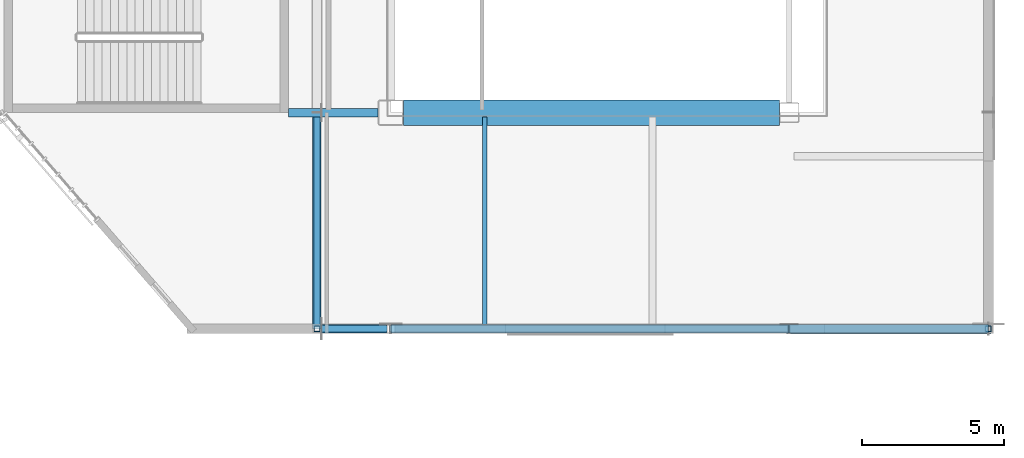
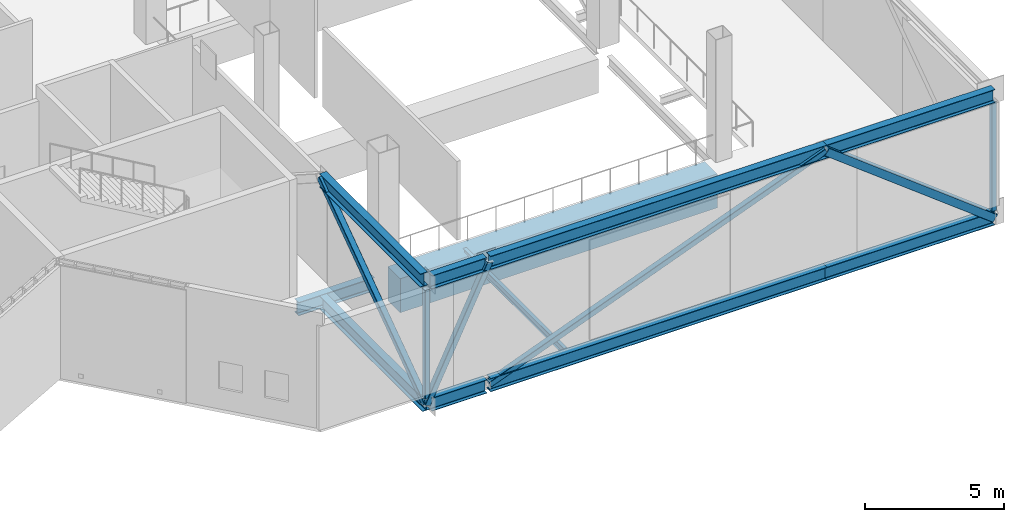
# One storey, part 25 of 127: 11 beams, 6 members.
"""IFC4 building model written with IfcOpenShell, lengths in metres."""

from ifc_helpers import new_model, si_unit, direction, frame, origin, origin_2d, place, context, subcontext, project, spatial, rectangle, hollow_rectangle, i_section, extrude, material, material_profile, profile_set, type_object, element, save


model = new_model("IFC4")

# Units and contexts
model_context = context("Model", 3, precision=1e-05, world=origin(), true_north=direction((0.0, 1.0)))
body_context = subcontext(model_context, "Body", "Model", "MODEL_VIEW")
ifc_project = project(units=[si_unit("LENGTHUNIT", "METRE"), si_unit("AREAUNIT", "SQUARE_METRE"), si_unit("VOLUMEUNIT", "CUBIC_METRE"), si_unit("PLANEANGLEUNIT", "RADIAN"), si_unit("MASSUNIT", "GRAM", prefix="KILO")], contexts=[model_context])

# Site, building, storey
site_placement = place(None, origin())
site = spatial("IfcSite", under=ifc_project, at=site_placement, CompositionType="ELEMENT")
building_placement = place(site_placement, origin())
building = spatial("IfcBuilding", under=site, at=building_placement, Name="Larkvane Passage Sports Hall", CompositionType="ELEMENT")
storey_placement = place(building_placement, frame((0.0, 0.0, 5.39990234375)))
storey = spatial("IfcBuildingStorey", under=building, at=storey_placement, Name="L01", CompositionType="ELEMENT", Elevation=5.39990234375)

# Beams
ifc_material_1 = material(Name="Steel S460N", Category="steel")
ifc_material_profile_1 = material_profile(ifc_material_1, i_section(OverallWidth=0.300048828125, OverallDepth=0.587890625, WebThickness=0.011962890625, FlangeThickness=0.02001953125, FilletRadius=0.02197265625, at=origin_2d()), Name="H-588x300x12x20")
ifc_profile_set_1 = profile_set([ifc_material_profile_1], Name="Steel S460N")
beam_type_1 = type_object("IfcBeamType", Name="BM-STL-H588", PredefinedType="BEAM", material=ifc_profile_set_1)
for number, where, z_axis, x_axis, name in (
    (1, (131.60009765625, 15.199951171875, -0.52392578125), (1.0, 0.0, 0.0), (0.0, 1.0, 0.0), "Cantilever truss CT-E1A-1 bottom chord 1"),
    (2, (131.60009765625, 15.199951171875, 4.856201171875), (1.0, 0.0, 0.0), (0.0, 1.0, 0.0), "Cantilever truss CT-E1A-1 top chord 1"),
):
    element("IfcBeam", number, at=place(storey_placement, frame(where, z_axis=z_axis, x_axis=x_axis)), inside=storey, type_object=beam_type_1, Name=name, PredefinedType="BEAM", context=body_context, shape_type="SweptSolid", body=[
        extrude(i_section(OverallWidth=0.300048828125, OverallDepth=0.587890625, WebThickness=0.011962890625, FlangeThickness=0.02001953125, FilletRadius=0.02197265625, at=origin_2d()), origin(), (0.0, 0.0, 1.0), 14.0),
    ])
for number, where, z_axis, x_axis, name in (
    (3, (145.60009765625, 15.199951171875, -0.52392578125), (1.0, 0.0, 0.0), (0.0, 1.0, 0.0), "Cantilever truss CT-E1A-1 bottom chord 2"),
    (4, (145.60009765625, 15.199951171875, 4.856201171875), (1.0, 0.0, 0.0), (0.0, 1.0, 0.0), "Cantilever truss CT-E1A-1 top chord 2"),
):
    element("IfcBeam", number, at=place(storey_placement, frame(where, z_axis=z_axis, x_axis=x_axis)), inside=storey, type_object=beam_type_1, Name=name, PredefinedType="BEAM", context=body_context, shape_type="SweptSolid", body=[
        extrude(i_section(OverallWidth=0.300048828125, OverallDepth=0.587890625, WebThickness=0.011962890625, FlangeThickness=0.02001953125, FilletRadius=0.02197265625, at=origin_2d()), origin(), (0.0, 0.0, 1.0), 7.0),
    ])
beam_1_placement = place(storey_placement, frame((128.0, 22.800048828125, -0.52392578125), z_axis=(1.0, 0.0, 0.0), x_axis=(0.0, 1.0, 0.0)))
element("IfcBeam", 5, at=beam_1_placement, inside=storey, type_object=beam_type_1, Name="East court cantilever anchor girder L01-D", PredefinedType="BEAM", context=body_context, shape_type="SweptSolid", body=[
    extrude(i_section(OverallWidth=0.300048828125, OverallDepth=0.587890625, WebThickness=0.011962890625, FlangeThickness=0.02001953125, FilletRadius=0.02197265625, at=origin_2d()), origin(), (0.0, 0.0, 1.0), 3.14990234375),
])
for number, where, z_axis, x_axis, name in (
    (6, (129.155029296875, 15.199951171875, -0.52392578125), (1.0, 0.0, 0.0), (0.0, 1.0, 0.0), "East corner cantilever link bottom chord CT-CN1"),
    (7, (129.155029296875, 15.199951171875, 4.856201171875), (1.0, 0.0, 0.0), (0.0, 1.0, 0.0), "East corner cantilever link top chord CT-CN1"),
):
    element("IfcBeam", number, at=place(storey_placement, frame(where, z_axis=z_axis, x_axis=x_axis)), inside=storey, type_object=beam_type_1, Name=name, PredefinedType="BEAM", context=body_context, shape_type="SweptSolid", body=[
        extrude(i_section(OverallWidth=0.300048828125, OverallDepth=0.587890625, WebThickness=0.011962890625, FlangeThickness=0.02001953125, FilletRadius=0.02197265625, at=origin_2d()), origin(), (0.0, 0.0, 1.0), 2.2900390625),
    ])
beam_2_placement = place(storey_placement, frame((129.0, 15.199951171875, -0.52392578125), z_axis=(0.0, 1.0, 0.0), x_axis=(-1.0, 0.0, 0.0)))
element("IfcBeam", 8, at=beam_2_placement, inside=storey, type_object=beam_type_1, Name="Cantilever truss CT-S1A-1 bottom chord 1", PredefinedType="BEAM", context=body_context, shape_type="SweptSolid", body=[
    extrude(i_section(OverallWidth=0.300048828125, OverallDepth=0.587890625, WebThickness=0.011962890625, FlangeThickness=0.02001953125, FilletRadius=0.02197265625, at=origin_2d()), origin(), (0.0, 0.0, 1.0), 7.445068359375),
])
beam_3_placement = place(storey_placement, frame((129.0, 15.35498046875, 4.856201171875), z_axis=(0.0, 1.0, 0.0), x_axis=(-1.0, 0.0, 0.0)))
element("IfcBeam", 9, at=beam_3_placement, inside=storey, type_object=beam_type_1, Name="Cantilever truss CT-S1A-1 top chord 1", PredefinedType="BEAM", context=body_context, shape_type="SweptSolid", body=[
    extrude(i_section(OverallWidth=0.300048828125, OverallDepth=0.587890625, WebThickness=0.011962890625, FlangeThickness=0.02001953125, FilletRadius=0.02197265625, at=origin_2d()), origin(), (0.0, 0.0, 1.0), 7.2900390625),
])
ifc_material_2 = material(Name="Steel S355JR", Category="steel")
ifc_material_profile_2 = material_profile(ifc_material_2, i_section(OverallWidth=0.14990234375, OverallDepth=0.300048828125, WebThickness=0.006591796875, FlangeThickness=0.009033203125, FilletRadius=0.012939453125, at=origin_2d()), Name="H-300x150x6.5x9")
ifc_profile_set_2 = profile_set([ifc_material_profile_2], Name="Steel S355JR")
beam_type_2 = type_object("IfcBeamType", Name="JST-STL-H300", PredefinedType="JOIST", material=ifc_profile_set_2)
beam_4_placement = place(storey_placement, frame((134.89990234375, 15.360107421875, -0.3798828125), z_axis=(0.0, 1.0, 0.0), x_axis=(-1.0, 0.0, 0.0)))
element("IfcBeam", 10, at=beam_4_placement, inside=storey, type_object=beam_type_2, Name="Cantilever floor joist CT-S1A--1-1", PredefinedType="JOIST", context=body_context, shape_type="SweptSolid", body=[
    extrude(i_section(OverallWidth=0.14990234375, OverallDepth=0.300048828125, WebThickness=0.006591796875, FlangeThickness=0.009033203125, FilletRadius=0.012939453125, at=origin_2d()), origin(), (0.0, 0.0, 1.0), 7.27978515625),
])

# Members
ifc_material_profile_3 = material_profile(ifc_material_1, hollow_rectangle(XDim=0.25, YDim=0.25, WallThickness=0.011962890625, InnerFilletRadius=0.011962890625, OuterFilletRadius=0.02392578125, at=origin_2d()), Name="SHS-250x250x12")
ifc_profile_set_3 = profile_set([ifc_material_profile_3], Name="Steel S460N")
member_type_1 = type_object("IfcMemberType", Name="MBR-BR-SHS250", PredefinedType="BRACE", material=ifc_profile_set_3)
member_1_placement = place(storey_placement, frame((131.60009765625, 15.199951171875, -0.52392578125), z_axis=(0.93344583894, 0.0, 0.358718365526), x_axis=(0.0, 1.0, 0.0)))
element("IfcMember", 11, at=member_1_placement, inside=storey, type_object=member_type_1, Name="Cantilever truss CT-E1A-1 web diagonal 1", PredefinedType="BRACE", context=body_context, shape_type="SweptSolid", body=[
    extrude(hollow_rectangle(XDim=0.25, YDim=0.25, WallThickness=0.011962890625, InnerFilletRadius=0.011962890625, OuterFilletRadius=0.02392578125, at=origin_2d()), origin(), (0.0, 0.0, 1.0), 14.998291015625),
])
member_2_placement = place(storey_placement, frame((129.0, 15.199951171875, -0.52392578125), z_axis=(0.43512836418, 0.0, 0.900368428304), x_axis=(0.0, 1.0, 0.0)))
element("IfcMember", 12, at=member_2_placement, inside=storey, type_object=member_type_1, Name="East corner cantilever link web diagonal CT-CN1", PredefinedType="BRACE", context=body_context, shape_type="SweptSolid", body=[
    extrude(hollow_rectangle(XDim=0.25, YDim=0.25, WallThickness=0.011962890625, InnerFilletRadius=0.011962890625, OuterFilletRadius=0.02392578125, at=origin_2d()), origin(), (0.0, 0.0, 1.0), 5.9755859375),
])
member_3_placement = place(storey_placement, frame((129.0, 15.199951171875, -0.52392578125), z_axis=(0.0, 0.816190368357, 0.577783075731), x_axis=(-1.0, 0.0, 0.0)))
element("IfcMember", 13, at=member_3_placement, inside=storey, type_object=member_type_1, Name="Cantilever truss CT-S1A-1 web diagonal 1", PredefinedType="BRACE", context=body_context, shape_type="SweptSolid", body=[
    extrude(hollow_rectangle(XDim=0.25, YDim=0.25, WallThickness=0.011962890625, InnerFilletRadius=0.011962890625, OuterFilletRadius=0.02392578125, at=origin_2d()), origin(), (0.0, 0.0, 1.0), 9.311767578125),
])
ifc_material_profile_4 = material_profile(ifc_material_1, hollow_rectangle(XDim=0.35009765625, YDim=0.35009765625, WallThickness=0.01611328125, InnerFilletRadius=0.01611328125, OuterFilletRadius=0.031982421875, at=origin_2d()), Name="SHS-350x350x16")
ifc_profile_set_4 = profile_set([ifc_material_profile_4], Name="Steel S460N")
member_type_2 = type_object("IfcMemberType", Name="MBR-BR-SHS350", PredefinedType="BRACE", material=ifc_profile_set_4)
member_4_placement = place(storey_placement, frame((145.60009765625, 15.199951171875, 4.856201171875), z_axis=(0.792869615842, 0.0, -0.60939131293), x_axis=(0.0, 1.0, 0.0)))
element("IfcMember", 14, at=member_4_placement, inside=storey, type_object=member_type_2, Name="Cantilever truss CT-E1A-1 web diagonal 2", PredefinedType="BRACE", context=body_context, shape_type="SweptSolid", body=[
    extrude(hollow_rectangle(XDim=0.35009765625, YDim=0.35009765625, WallThickness=0.01611328125, InnerFilletRadius=0.01611328125, OuterFilletRadius=0.031982421875, at=origin_2d()), origin(), (0.0, 0.0, 1.0), 8.82861328125),
])
ifc_material_profile_5 = material_profile(ifc_material_1, hollow_rectangle(XDim=0.199951171875, YDim=0.199951171875, WallThickness=0.009033203125, InnerFilletRadius=0.009033203125, OuterFilletRadius=0.01806640625, at=origin_2d()), Name="SHS-200x200x9")
ifc_profile_set_5 = profile_set([ifc_material_profile_5], Name="Steel S460N")
member_type_3 = type_object("IfcMemberType", Name="MBR-ST-SHS200", PredefinedType="STRUT", material=ifc_profile_set_5)
for number, where, z_axis, x_axis, name in (
    (15, (152.60009765625, 15.199951171875, -0.22998046875), (0.0, 0.0, 1.0), (1.0, 0.0, 0.0), "Cantilever truss CT-E1A-1 vertical post 3"),
    (16, (129.0, 15.199951171875, -0.22998046875), (0.0, 0.0, 1.0), (1.0, 0.0, 0.0), "Cantilever truss CT-S1A-1 vertical post 1"),
):
    element("IfcMember", number, at=place(storey_placement, frame(where, z_axis=z_axis, x_axis=x_axis)), inside=storey, type_object=member_type_3, Name=name, PredefinedType="STRUT", context=body_context, shape_type="SweptSolid", body=[
        extrude(hollow_rectangle(XDim=0.199951171875, YDim=0.199951171875, WallThickness=0.009033203125, InnerFilletRadius=0.009033203125, OuterFilletRadius=0.01806640625, at=origin_2d()), origin(), (0.0, 0.0, 1.0), 4.7919921875),
    ])

# Beam
ifc_material_3 = material(Name="Concrete C50/60", Category="concrete")
ifc_material_profile_6 = material_profile(ifc_material_3, rectangle(XDim=0.89990234375, YDim=1.5, at=origin_2d()), Name="PT-GIR-900x1500")
ifc_profile_set_6 = profile_set([ifc_material_profile_6], Name="Concrete C50/60")
beam_type_3 = type_object("IfcBeamType", Name="PTG-900x1500", PredefinedType="BEAM", material=ifc_profile_set_6)
beam_5_placement = place(storey_placement, frame((132.050048828125, 22.800048828125, -1.169921875), z_axis=(1.0, 0.0, 0.0), x_axis=(0.0, 1.0, 0.0)))
element("IfcBeam", 17, at=beam_5_placement, inside=storey, type_object=beam_type_3, Name="Post-tensioned transfer girder BM5-X-L01-D-0390", PredefinedType="BEAM", context=body_context, shape_type="SweptSolid", body=[
    extrude(rectangle(XDim=0.89990234375, YDim=1.5, at=origin_2d()), origin(), (0.0, 0.0, 1.0), 13.199951171875),
])

save(model, "model.ifc")
